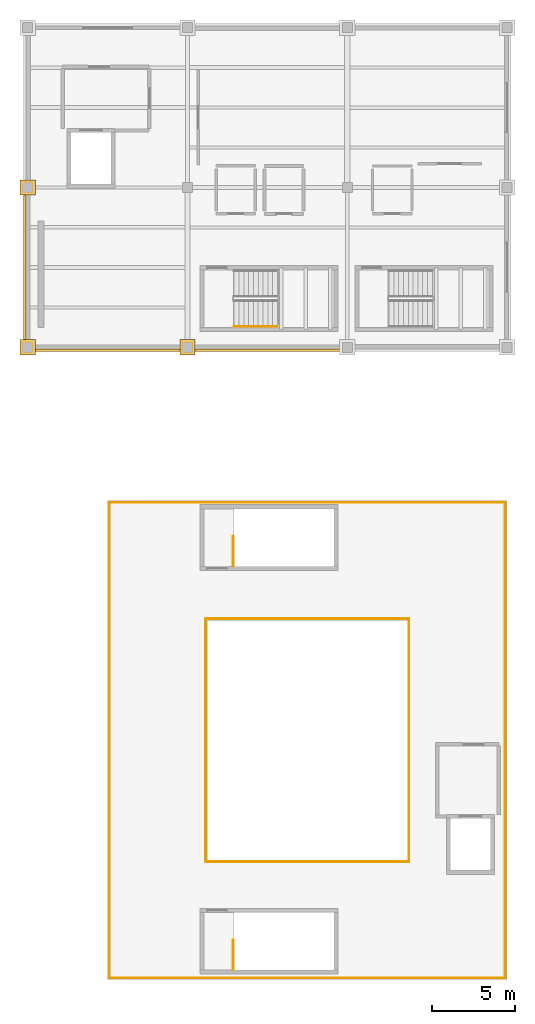
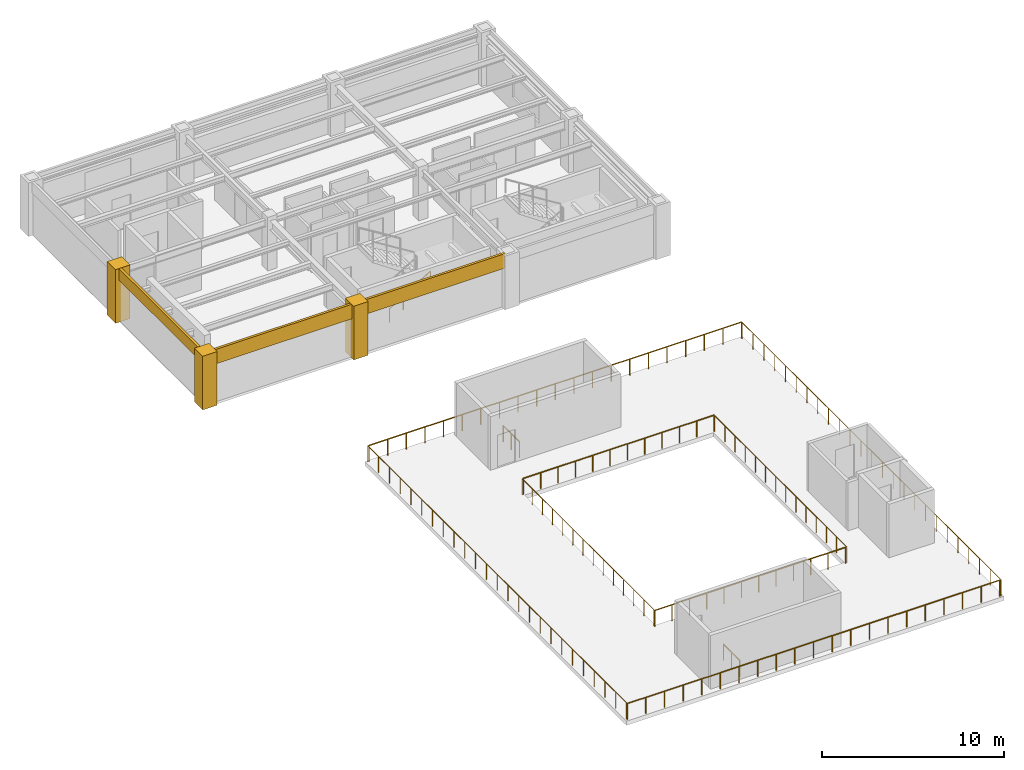
# One storey, part 4 of 6: 11 railings, 6 coverings.
"""IFC4 building model written with IfcOpenShell, lengths in metres."""

from ifc_helpers import new_model, si_unit, direction, frame, origin, origin_2d, place, context, subcontext, project, spatial, polyline, circle, outline, extrude, material, layer, layer_set, type_object, element, save


model = new_model("IFC4")

# Units and contexts
model_context = context("Model", 3, precision=1e-05, world=origin(), true_north=direction((0.0, 1.0)))
body_context = subcontext(model_context, "Body", "Model", "MODEL_VIEW")
ifc_project = project(units=[si_unit("LENGTHUNIT", "METRE"), si_unit("AREAUNIT", "SQUARE_METRE"), si_unit("VOLUMEUNIT", "CUBIC_METRE"), si_unit("PLANEANGLEUNIT", "RADIAN"), si_unit("MASSUNIT", "GRAM", prefix="KILO")], contexts=[model_context])

# Site, building, storey
site_placement = place(None, origin())
site = spatial("IfcSite", under=ifc_project, at=site_placement, CompositionType="ELEMENT")
building_placement = place(site_placement, origin())
building = spatial("IfcBuilding", under=site, at=building_placement, Name="Mavantir Sound Aquarium", CompositionType="ELEMENT")
storey_placement = place(building_placement, frame((0.0, 0.0, 19.800048828125)))
storey = spatial("IfcBuildingStorey", under=building, at=storey_placement, Name="L04", CompositionType="ELEMENT", Elevation=19.800048828125)

# Coverings
ifc_material_1 = material(Name="Honed Coral-Limestone & Glazed Terracotta Rainscreen Cladding", Category="masonry")
ifc_layer = layer(ifc_material_1, 0.06005859375, Name="Honed Coral-Limestone & Glazed Terracotta Rainscreen Cladding")
ifc_layer_set = layer_set([ifc_layer], Name="Honed Coral-Limestone & Glazed Terracotta Rainscreen Cladding")
covering_type = type_object("IfcCoveringType", Name="COV-CLAD-TC", PredefinedType="CLADDING", material=ifc_layer_set)
covering_1_placement = place(storey_placement, frame((0.0, 0.0, 2.81884765625)))
element("IfcCovering", 1, at=covering_1_placement, inside=storey, type_object=covering_type, Name="L04 Postmodern coral-limestone spandrel frieze 490", PredefinedType="CLADDING", context=body_context, shape_type="SweptSolid", body=[
    extrude(outline(polyline([(-0.090087890625, 92.89208984375), (-0.090087890625, 83.907958984375), (-0.239990234375, 83.907958984375), (-0.239990234375, 92.89208984375), (-0.090087890625, 92.89208984375)])), origin(), (0.0, 0.0, 1.0), 0.781005859375),
])
covering_2_placement = place(storey_placement, frame((0.0, 0.0, 2.625)))
element("IfcCovering", 2, at=covering_2_placement, inside=storey, type_object=covering_type, Name="L04 Postmodern coral-limestone spandrel frieze 491", PredefinedType="CLADDING", context=body_context, shape_type="SweptSolid", body=[
    extrude(outline(polyline([(0.30810546875, 83.510009765625), (9.2919921875, 83.510009765625), (9.2919921875, 83.360107421875), (0.30810546875, 83.360107421875), (0.30810546875, 83.510009765625)])), origin(), (0.0, 0.0, 1.0), 0.974853515625),
])
covering_3_placement = place(storey_placement, frame((0.0, 0.0, 2.625)))
element("IfcCovering", 3, at=covering_3_placement, inside=storey, type_object=covering_type, Name="L04 Postmodern coral-limestone spandrel frieze 492", PredefinedType="CLADDING", context=body_context, shape_type="SweptSolid", body=[
    extrude(outline(polyline([(9.907958984375, 83.510009765625), (18.89208984375, 83.510009765625), (18.89208984375, 83.360107421875), (9.907958984375, 83.360107421875), (9.907958984375, 83.510009765625)])), origin(), (0.0, 0.0, 1.0), 0.974853515625),
])
covering_4_placement = place(storey_placement, origin())
element("IfcCovering", 4, at=covering_4_placement, inside=storey, type_object=covering_type, Name="L04 Postmodern coral-limestone pilaster casing 347", PredefinedType="CLADDING", context=body_context, shape_type="SweptSolid", body=[
    extrude(outline(polyline([(-0.4599609375, 83.139892578125), (0.4599609375, 83.139892578125), (0.4599609375, 84.06005859375), (-0.4599609375, 84.06005859375), (-0.4599609375, 83.139892578125)])), origin(), (0.0, 0.0, 1.0), 3.599853515625),
])
covering_5_placement = place(storey_placement, origin())
element("IfcCovering", 5, at=covering_5_placement, inside=storey, type_object=covering_type, Name="L04 Postmodern coral-limestone pilaster casing 353", PredefinedType="CLADDING", context=body_context, shape_type="SweptSolid", body=[
    extrude(outline(polyline([(-0.4599609375, 92.739990234375), (0.4599609375, 92.739990234375), (0.4599609375, 93.659912109375), (-0.4599609375, 93.659912109375), (-0.4599609375, 92.739990234375)])), origin(), (0.0, 0.0, 1.0), 3.599853515625),
])
covering_6_placement = place(storey_placement, origin())
element("IfcCovering", 6, at=covering_6_placement, inside=storey, type_object=covering_type, Name="L04 Postmodern coral-limestone pilaster casing 370", PredefinedType="CLADDING", context=body_context, shape_type="SweptSolid", body=[
    extrude(outline(polyline([(9.139892578125, 83.139892578125), (10.06005859375, 83.139892578125), (10.06005859375, 84.06005859375), (9.139892578125, 84.06005859375), (9.139892578125, 83.139892578125)])), origin(), (0.0, 0.0, 1.0), 3.599853515625),
])

# Railings
ifc_material_2 = material(Name="Stainless Steel 316 and Laminated Glass Guardrail", Category="steel")
railing_type_1 = type_object("IfcRailingType", Name="RL-GUARD-110", PredefinedType="GUARDRAIL", material=ifc_material_2)
railing_1_placement = place(storey_placement, frame((4.919921875, 45.719970703125, 0.0)))
element("IfcRailing", 7, at=railing_1_placement, inside=storey, type_object=railing_type_1, Name="L04 Ocean Tank overlook promenade outer S guardrail", PredefinedType="GUARDRAIL", context=body_context, shape_type="SweptSolid", body=[
    extrude(circle(Radius=0.02392578125, at=origin_2d()), frame((0.0, 0.0, 1.076171875), z_axis=(1.0, 0.0, 0.0), x_axis=(0.0, 1.0, 0.0)), (0.0, 0.0, 1.0), 23.68017578125),
    extrude(circle(Radius=0.02099609375, at=origin_2d()), origin(), (0.0, 0.0, 1.0), 1.052001953125),
    extrude(circle(Radius=0.02099609375, at=origin_2d()), frame((1.18408203125, 0.0, 0.0)), (0.0, 0.0, 1.0), 1.052001953125),
    extrude(circle(Radius=0.02099609375, at=origin_2d()), frame((2.367919921875, 0.0, 0.0)), (0.0, 0.0, 1.0), 1.052001953125),
    extrude(circle(Radius=0.02099609375, at=origin_2d()), frame((3.552001953125, 0.0, 0.0)), (0.0, 0.0, 1.0), 1.052001953125),
    extrude(circle(Radius=0.02099609375, at=origin_2d()), frame((4.736083984375, 0.0, 0.0)), (0.0, 0.0, 1.0), 1.052001953125),
    extrude(circle(Radius=0.02099609375, at=origin_2d()), frame((5.919921875, 0.0, 0.0)), (0.0, 0.0, 1.0), 1.052001953125),
    extrude(circle(Radius=0.02099609375, at=origin_2d()), frame((7.10400390625, 0.0, 0.0)), (0.0, 0.0, 1.0), 1.052001953125),
    extrude(circle(Radius=0.02099609375, at=origin_2d()), frame((8.2880859375, 0.0, 0.0)), (0.0, 0.0, 1.0), 1.052001953125),
    extrude(circle(Radius=0.02099609375, at=origin_2d()), frame((9.47216796875, 0.0, 0.0)), (0.0, 0.0, 1.0), 1.052001953125),
    extrude(circle(Radius=0.02099609375, at=origin_2d()), frame((10.656005859375, 0.0, 0.0)), (0.0, 0.0, 1.0), 1.052001953125),
    extrude(circle(Radius=0.02099609375, at=origin_2d()), frame((11.840087890625, 0.0, 0.0)), (0.0, 0.0, 1.0), 1.052001953125),
    extrude(circle(Radius=0.02099609375, at=origin_2d()), frame((13.024169921875, 0.0, 0.0)), (0.0, 0.0, 1.0), 1.052001953125),
    extrude(circle(Radius=0.02099609375, at=origin_2d()), frame((14.2080078125, 0.0, 0.0)), (0.0, 0.0, 1.0), 1.052001953125),
    extrude(circle(Radius=0.02099609375, at=origin_2d()), frame((15.39208984375, 0.0, 0.0)), (0.0, 0.0, 1.0), 1.052001953125),
    extrude(circle(Radius=0.02099609375, at=origin_2d()), frame((16.576171875, 0.0, 0.0)), (0.0, 0.0, 1.0), 1.052001953125),
    extrude(circle(Radius=0.02099609375, at=origin_2d()), frame((17.76025390625, 0.0, 0.0)), (0.0, 0.0, 1.0), 1.052001953125),
    extrude(circle(Radius=0.02099609375, at=origin_2d()), frame((18.944091796875, 0.0, 0.0)), (0.0, 0.0, 1.0), 1.052001953125),
    extrude(circle(Radius=0.02099609375, at=origin_2d()), frame((20.128173828125, 0.0, 0.0)), (0.0, 0.0, 1.0), 1.052001953125),
    extrude(circle(Radius=0.02099609375, at=origin_2d()), frame((21.312255859375, 0.0, 0.0)), (0.0, 0.0, 1.0), 1.052001953125),
    extrude(circle(Radius=0.02099609375, at=origin_2d()), frame((22.49609375, 0.0, 0.0)), (0.0, 0.0, 1.0), 1.052001953125),
    extrude(circle(Radius=0.02099609375, at=origin_2d()), frame((23.68017578125, 0.0, 0.0)), (0.0, 0.0, 1.0), 1.052001953125),
])
railing_2_placement = place(storey_placement, frame((28.679931640625, 45.719970703125, 0.0)))
element("IfcRailing", 8, at=railing_2_placement, inside=storey, type_object=railing_type_1, Name="L04 Ocean Tank overlook promenade outer E guardrail", PredefinedType="GUARDRAIL", context=body_context, shape_type="SweptSolid", body=[
    extrude(circle(Radius=0.02392578125, at=origin_2d()), frame((0.0, 0.0, 1.076171875), z_axis=(0.0, 1.0, 0.0), x_axis=(-1.0, 0.0, 0.0)), (0.0, 0.0, 1.0), 28.47998046875),
    extrude(circle(Radius=0.02099609375, at=origin_2d()), origin(), (0.0, 0.0, 1.0), 1.052001953125),
    extrude(circle(Radius=0.02099609375, at=origin_2d()), frame((0.0, 1.186767578125, 0.0)), (0.0, 0.0, 1.0), 1.052001953125),
    extrude(circle(Radius=0.02099609375, at=origin_2d()), frame((0.0, 2.373291015625, 0.0)), (0.0, 0.0, 1.0), 1.052001953125),
    extrude(circle(Radius=0.02099609375, at=origin_2d()), frame((0.0, 3.56005859375, 0.0)), (0.0, 0.0, 1.0), 1.052001953125),
    extrude(circle(Radius=0.02099609375, at=origin_2d()), frame((0.0, 4.74658203125, 0.0)), (0.0, 0.0, 1.0), 1.052001953125),
    extrude(circle(Radius=0.02099609375, at=origin_2d()), frame((0.0, 5.933349609375, 0.0)), (0.0, 0.0, 1.0), 1.052001953125),
    extrude(circle(Radius=0.02099609375, at=origin_2d()), frame((0.0, 7.1201171875, 0.0)), (0.0, 0.0, 1.0), 1.052001953125),
    extrude(circle(Radius=0.02099609375, at=origin_2d()), frame((0.0, 8.306640625, 0.0)), (0.0, 0.0, 1.0), 1.052001953125),
    extrude(circle(Radius=0.02099609375, at=origin_2d()), frame((0.0, 9.493408203125, 0.0)), (0.0, 0.0, 1.0), 1.052001953125),
    extrude(circle(Radius=0.02099609375, at=origin_2d()), frame((0.0, 10.679931640625, 0.0)), (0.0, 0.0, 1.0), 1.052001953125),
    extrude(circle(Radius=0.02099609375, at=origin_2d()), frame((0.0, 11.86669921875, 0.0)), (0.0, 0.0, 1.0), 1.052001953125),
    extrude(circle(Radius=0.02099609375, at=origin_2d()), frame((0.0, 13.05322265625, 0.0)), (0.0, 0.0, 1.0), 1.052001953125),
    extrude(circle(Radius=0.02099609375, at=origin_2d()), frame((0.0, 14.239990234375, 0.0)), (0.0, 0.0, 1.0), 1.052001953125),
    extrude(circle(Radius=0.02099609375, at=origin_2d()), frame((0.0, 15.4267578125, 0.0)), (0.0, 0.0, 1.0), 1.052001953125),
    extrude(circle(Radius=0.02099609375, at=origin_2d()), frame((0.0, 16.61328125, 0.0)), (0.0, 0.0, 1.0), 1.052001953125),
    extrude(circle(Radius=0.02099609375, at=origin_2d()), frame((0.0, 17.800048828125, 0.0)), (0.0, 0.0, 1.0), 1.052001953125),
    extrude(circle(Radius=0.02099609375, at=origin_2d()), frame((0.0, 18.986572265625, 0.0)), (0.0, 0.0, 1.0), 1.052001953125),
    extrude(circle(Radius=0.02099609375, at=origin_2d()), frame((0.0, 20.17333984375, 0.0)), (0.0, 0.0, 1.0), 1.052001953125),
    extrude(circle(Radius=0.02099609375, at=origin_2d()), frame((0.0, 21.35986328125, 0.0)), (0.0, 0.0, 1.0), 1.052001953125),
    extrude(circle(Radius=0.02099609375, at=origin_2d()), frame((0.0, 22.546630859375, 0.0)), (0.0, 0.0, 1.0), 1.052001953125),
    extrude(circle(Radius=0.02099609375, at=origin_2d()), frame((0.0, 23.7333984375, 0.0)), (0.0, 0.0, 1.0), 1.052001953125),
    extrude(circle(Radius=0.02099609375, at=origin_2d()), frame((0.0, 24.919921875, 0.0)), (0.0, 0.0, 1.0), 1.052001953125),
    extrude(circle(Radius=0.02099609375, at=origin_2d()), frame((0.0, 26.106689453125, 0.0)), (0.0, 0.0, 1.0), 1.052001953125),
    extrude(circle(Radius=0.02099609375, at=origin_2d()), frame((0.0, 27.293212890625, 0.0)), (0.0, 0.0, 1.0), 1.052001953125),
    extrude(circle(Radius=0.02099609375, at=origin_2d()), frame((0.0, 28.47998046875, 0.0)), (0.0, 0.0, 1.0), 1.052001953125),
])
railing_3_placement = place(storey_placement, frame((28.679931640625, 74.280029296875, 0.0)))
element("IfcRailing", 9, at=railing_3_placement, inside=storey, type_object=railing_type_1, Name="L04 Ocean Tank overlook promenade outer N guardrail", PredefinedType="GUARDRAIL", context=body_context, shape_type="SweptSolid", body=[
    extrude(circle(Radius=0.02392578125, at=origin_2d()), frame((0.0, 0.0, 1.076171875), z_axis=(-1.0, 0.0, 0.0), x_axis=(0.0, -1.0, 0.0)), (0.0, 0.0, 1.0), 23.679931640625),
    extrude(circle(Radius=0.02099609375, at=origin_2d()), origin(), (0.0, 0.0, 1.0), 1.052001953125),
    extrude(circle(Radius=0.02099609375, at=origin_2d()), frame((-1.18408203125, 0.0, 0.0)), (0.0, 0.0, 1.0), 1.052001953125),
    extrude(circle(Radius=0.02099609375, at=origin_2d()), frame((-2.367919921875, 0.0, 0.0)), (0.0, 0.0, 1.0), 1.052001953125),
    extrude(circle(Radius=0.02099609375, at=origin_2d()), frame((-3.552001953125, 0.0, 0.0)), (0.0, 0.0, 1.0), 1.052001953125),
    extrude(circle(Radius=0.02099609375, at=origin_2d()), frame((-4.736083984375, 0.0, 0.0)), (0.0, 0.0, 1.0), 1.052001953125),
    extrude(circle(Radius=0.02099609375, at=origin_2d()), frame((-5.919921875, 0.0, 0.0)), (0.0, 0.0, 1.0), 1.052001953125),
    extrude(circle(Radius=0.02099609375, at=origin_2d()), frame((-7.10400390625, 0.0, 0.0)), (0.0, 0.0, 1.0), 1.052001953125),
    extrude(circle(Radius=0.02099609375, at=origin_2d()), frame((-8.2880859375, 0.0, 0.0)), (0.0, 0.0, 1.0), 1.052001953125),
    extrude(circle(Radius=0.02099609375, at=origin_2d()), frame((-9.471923828125, 0.0, 0.0)), (0.0, 0.0, 1.0), 1.052001953125),
    extrude(circle(Radius=0.02099609375, at=origin_2d()), frame((-10.656005859375, 0.0, 0.0)), (0.0, 0.0, 1.0), 1.052001953125),
    extrude(circle(Radius=0.02099609375, at=origin_2d()), frame((-11.83984375, 0.0, 0.0)), (0.0, 0.0, 1.0), 1.052001953125),
    extrude(circle(Radius=0.02099609375, at=origin_2d()), frame((-13.02392578125, 0.0, 0.0)), (0.0, 0.0, 1.0), 1.052001953125),
    extrude(circle(Radius=0.02099609375, at=origin_2d()), frame((-14.2080078125, 0.0, 0.0)), (0.0, 0.0, 1.0), 1.052001953125),
    extrude(circle(Radius=0.02099609375, at=origin_2d()), frame((-15.391845703125, 0.0, 0.0)), (0.0, 0.0, 1.0), 1.052001953125),
    extrude(circle(Radius=0.02099609375, at=origin_2d()), frame((-16.575927734375, 0.0, 0.0)), (0.0, 0.0, 1.0), 1.052001953125),
    extrude(circle(Radius=0.02099609375, at=origin_2d()), frame((-17.760009765625, 0.0, 0.0)), (0.0, 0.0, 1.0), 1.052001953125),
    extrude(circle(Radius=0.02099609375, at=origin_2d()), frame((-18.94384765625, 0.0, 0.0)), (0.0, 0.0, 1.0), 1.052001953125),
    extrude(circle(Radius=0.02099609375, at=origin_2d()), frame((-20.1279296875, 0.0, 0.0)), (0.0, 0.0, 1.0), 1.052001953125),
    extrude(circle(Radius=0.02099609375, at=origin_2d()), frame((-21.31201171875, 0.0, 0.0)), (0.0, 0.0, 1.0), 1.052001953125),
    extrude(circle(Radius=0.02099609375, at=origin_2d()), frame((-22.495849609375, 0.0, 0.0)), (0.0, 0.0, 1.0), 1.052001953125),
    extrude(circle(Radius=0.02099609375, at=origin_2d()), frame((-23.679931640625, 0.0, 0.0)), (0.0, 0.0, 1.0), 1.052001953125),
])
railing_4_placement = place(storey_placement, frame((4.919921875, 74.280029296875, 0.0)))
element("IfcRailing", 10, at=railing_4_placement, inside=storey, type_object=railing_type_1, Name="L04 Ocean Tank overlook promenade outer W guardrail", PredefinedType="GUARDRAIL", context=body_context, shape_type="SweptSolid", body=[
    extrude(circle(Radius=0.02392578125, at=origin_2d()), frame((0.0, 0.0, 1.076171875), z_axis=(0.0, -1.0, 0.0), x_axis=(1.0, 0.0, 0.0)), (0.0, 0.0, 1.0), 28.47998046875),
    extrude(circle(Radius=0.02099609375, at=origin_2d()), origin(), (0.0, 0.0, 1.0), 1.052001953125),
    extrude(circle(Radius=0.02099609375, at=origin_2d()), frame((0.0, -1.186767578125, 0.0)), (0.0, 0.0, 1.0), 1.052001953125),
    extrude(circle(Radius=0.02099609375, at=origin_2d()), frame((0.0, -2.373291015625, 0.0)), (0.0, 0.0, 1.0), 1.052001953125),
    extrude(circle(Radius=0.02099609375, at=origin_2d()), frame((0.0, -3.56005859375, 0.0)), (0.0, 0.0, 1.0), 1.052001953125),
    extrude(circle(Radius=0.02099609375, at=origin_2d()), frame((0.0, -4.74658203125, 0.0)), (0.0, 0.0, 1.0), 1.052001953125),
    extrude(circle(Radius=0.02099609375, at=origin_2d()), frame((0.0, -5.933349609375, 0.0)), (0.0, 0.0, 1.0), 1.052001953125),
    extrude(circle(Radius=0.02099609375, at=origin_2d()), frame((0.0, -7.1201171875, 0.0)), (0.0, 0.0, 1.0), 1.052001953125),
    extrude(circle(Radius=0.02099609375, at=origin_2d()), frame((0.0, -8.306640625, 0.0)), (0.0, 0.0, 1.0), 1.052001953125),
    extrude(circle(Radius=0.02099609375, at=origin_2d()), frame((0.0, -9.493408203125, 0.0)), (0.0, 0.0, 1.0), 1.052001953125),
    extrude(circle(Radius=0.02099609375, at=origin_2d()), frame((0.0, -10.679931640625, 0.0)), (0.0, 0.0, 1.0), 1.052001953125),
    extrude(circle(Radius=0.02099609375, at=origin_2d()), frame((0.0, -11.86669921875, 0.0)), (0.0, 0.0, 1.0), 1.052001953125),
    extrude(circle(Radius=0.02099609375, at=origin_2d()), frame((0.0, -13.05322265625, 0.0)), (0.0, 0.0, 1.0), 1.052001953125),
    extrude(circle(Radius=0.02099609375, at=origin_2d()), frame((0.0, -14.239990234375, 0.0)), (0.0, 0.0, 1.0), 1.052001953125),
    extrude(circle(Radius=0.02099609375, at=origin_2d()), frame((0.0, -15.4267578125, 0.0)), (0.0, 0.0, 1.0), 1.052001953125),
    extrude(circle(Radius=0.02099609375, at=origin_2d()), frame((0.0, -16.61328125, 0.0)), (0.0, 0.0, 1.0), 1.052001953125),
    extrude(circle(Radius=0.02099609375, at=origin_2d()), frame((0.0, -17.800048828125, 0.0)), (0.0, 0.0, 1.0), 1.052001953125),
    extrude(circle(Radius=0.02099609375, at=origin_2d()), frame((0.0, -18.986572265625, 0.0)), (0.0, 0.0, 1.0), 1.052001953125),
    extrude(circle(Radius=0.02099609375, at=origin_2d()), frame((0.0, -20.17333984375, 0.0)), (0.0, 0.0, 1.0), 1.052001953125),
    extrude(circle(Radius=0.02099609375, at=origin_2d()), frame((0.0, -21.35986328125, 0.0)), (0.0, 0.0, 1.0), 1.052001953125),
    extrude(circle(Radius=0.02099609375, at=origin_2d()), frame((0.0, -22.546630859375, 0.0)), (0.0, 0.0, 1.0), 1.052001953125),
    extrude(circle(Radius=0.02099609375, at=origin_2d()), frame((0.0, -23.7333984375, 0.0)), (0.0, 0.0, 1.0), 1.052001953125),
    extrude(circle(Radius=0.02099609375, at=origin_2d()), frame((0.0, -24.919921875, 0.0)), (0.0, 0.0, 1.0), 1.052001953125),
    extrude(circle(Radius=0.02099609375, at=origin_2d()), frame((0.0, -26.106689453125, 0.0)), (0.0, 0.0, 1.0), 1.052001953125),
    extrude(circle(Radius=0.02099609375, at=origin_2d()), frame((0.0, -27.293212890625, 0.0)), (0.0, 0.0, 1.0), 1.052001953125),
    extrude(circle(Radius=0.02099609375, at=origin_2d()), frame((0.0, -28.47998046875, 0.0)), (0.0, 0.0, 1.0), 1.052001953125),
])
railing_5_placement = place(storey_placement, frame((10.699951171875, 52.699951171875, 0.0)))
element("IfcRailing", 11, at=railing_5_placement, inside=storey, type_object=railing_type_1, Name="L04 atrium void S guardrail 163", PredefinedType="GUARDRAIL", context=body_context, shape_type="SweptSolid", body=[
    extrude(circle(Radius=0.02392578125, at=origin_2d()), frame((0.0, 0.0, 1.076171875), z_axis=(1.0, 0.0, 0.0), x_axis=(0.0, 1.0, 0.0)), (0.0, 0.0, 1.0), 12.1201171875),
    extrude(circle(Radius=0.02099609375, at=origin_2d()), origin(), (0.0, 0.0, 1.0), 1.052001953125),
    extrude(circle(Radius=0.02099609375, at=origin_2d()), frame((1.101806640625, 0.0, 0.0)), (0.0, 0.0, 1.0), 1.052001953125),
    extrude(circle(Radius=0.02099609375, at=origin_2d()), frame((2.20361328125, 0.0, 0.0)), (0.0, 0.0, 1.0), 1.052001953125),
    extrude(circle(Radius=0.02099609375, at=origin_2d()), frame((3.305419921875, 0.0, 0.0)), (0.0, 0.0, 1.0), 1.052001953125),
    extrude(circle(Radius=0.02099609375, at=origin_2d()), frame((4.4072265625, 0.0, 0.0)), (0.0, 0.0, 1.0), 1.052001953125),
    extrude(circle(Radius=0.02099609375, at=origin_2d()), frame((5.509033203125, 0.0, 0.0)), (0.0, 0.0, 1.0), 1.052001953125),
    extrude(circle(Radius=0.02099609375, at=origin_2d()), frame((6.611083984375, 0.0, 0.0)), (0.0, 0.0, 1.0), 1.052001953125),
    extrude(circle(Radius=0.02099609375, at=origin_2d()), frame((7.712890625, 0.0, 0.0)), (0.0, 0.0, 1.0), 1.052001953125),
    extrude(circle(Radius=0.02099609375, at=origin_2d()), frame((8.814697265625, 0.0, 0.0)), (0.0, 0.0, 1.0), 1.052001953125),
    extrude(circle(Radius=0.02099609375, at=origin_2d()), frame((9.91650390625, 0.0, 0.0)), (0.0, 0.0, 1.0), 1.052001953125),
    extrude(circle(Radius=0.02099609375, at=origin_2d()), frame((11.018310546875, 0.0, 0.0)), (0.0, 0.0, 1.0), 1.052001953125),
    extrude(circle(Radius=0.02099609375, at=origin_2d()), frame((12.1201171875, 0.0, 0.0)), (0.0, 0.0, 1.0), 1.052001953125),
])
railing_6_placement = place(storey_placement, frame((22.89990234375, 52.699951171875, 0.0)))
element("IfcRailing", 12, at=railing_6_placement, inside=storey, type_object=railing_type_1, Name="L04 atrium void E guardrail 164", PredefinedType="GUARDRAIL", context=body_context, shape_type="SweptSolid", body=[
    extrude(circle(Radius=0.02392578125, at=origin_2d()), frame((0.0, 0.0, 1.076171875), z_axis=(0.0, 1.0, 0.0), x_axis=(-1.0, 0.0, 0.0)), (0.0, 0.0, 1.0), 14.52001953125),
    extrude(circle(Radius=0.02099609375, at=origin_2d()), origin(), (0.0, 0.0, 1.0), 1.052001953125),
    extrude(circle(Radius=0.02099609375, at=origin_2d()), frame((0.0, 1.116943359375, 0.0)), (0.0, 0.0, 1.0), 1.052001953125),
    extrude(circle(Radius=0.02099609375, at=origin_2d()), frame((0.0, 2.23388671875, 0.0)), (0.0, 0.0, 1.0), 1.052001953125),
    extrude(circle(Radius=0.02099609375, at=origin_2d()), frame((0.0, 3.350830078125, 0.0)), (0.0, 0.0, 1.0), 1.052001953125),
    extrude(circle(Radius=0.02099609375, at=origin_2d()), frame((0.0, 4.4677734375, 0.0)), (0.0, 0.0, 1.0), 1.052001953125),
    extrude(circle(Radius=0.02099609375, at=origin_2d()), frame((0.0, 5.584716796875, 0.0)), (0.0, 0.0, 1.0), 1.052001953125),
    extrude(circle(Radius=0.02099609375, at=origin_2d()), frame((0.0, 6.70166015625, 0.0)), (0.0, 0.0, 1.0), 1.052001953125),
    extrude(circle(Radius=0.02099609375, at=origin_2d()), frame((0.0, 7.818359375, 0.0)), (0.0, 0.0, 1.0), 1.052001953125),
    extrude(circle(Radius=0.02099609375, at=origin_2d()), frame((0.0, 8.935302734375, 0.0)), (0.0, 0.0, 1.0), 1.052001953125),
    extrude(circle(Radius=0.02099609375, at=origin_2d()), frame((0.0, 10.05224609375, 0.0)), (0.0, 0.0, 1.0), 1.052001953125),
    extrude(circle(Radius=0.02099609375, at=origin_2d()), frame((0.0, 11.169189453125, 0.0)), (0.0, 0.0, 1.0), 1.052001953125),
    extrude(circle(Radius=0.02099609375, at=origin_2d()), frame((0.0, 12.2861328125, 0.0)), (0.0, 0.0, 1.0), 1.052001953125),
    extrude(circle(Radius=0.02099609375, at=origin_2d()), frame((0.0, 13.403076171875, 0.0)), (0.0, 0.0, 1.0), 1.052001953125),
    extrude(circle(Radius=0.02099609375, at=origin_2d()), frame((0.0, 14.52001953125, 0.0)), (0.0, 0.0, 1.0), 1.052001953125),
])
railing_7_placement = place(storey_placement, frame((22.89990234375, 67.300048828125, 0.0)))
element("IfcRailing", 13, at=railing_7_placement, inside=storey, type_object=railing_type_1, Name="L04 atrium void N guardrail 165", PredefinedType="GUARDRAIL", context=body_context, shape_type="SweptSolid", body=[
    extrude(circle(Radius=0.02392578125, at=origin_2d()), frame((0.0, 0.0, 1.076171875), z_axis=(-1.0, 0.0, 0.0), x_axis=(0.0, -1.0, 0.0)), (0.0, 0.0, 1.0), 12.119873046875),
    extrude(circle(Radius=0.02099609375, at=origin_2d()), origin(), (0.0, 0.0, 1.0), 1.052001953125),
    extrude(circle(Radius=0.02099609375, at=origin_2d()), frame((-1.101806640625, 0.0, 0.0)), (0.0, 0.0, 1.0), 1.052001953125),
    extrude(circle(Radius=0.02099609375, at=origin_2d()), frame((-2.20361328125, 0.0, 0.0)), (0.0, 0.0, 1.0), 1.052001953125),
    extrude(circle(Radius=0.02099609375, at=origin_2d()), frame((-3.305419921875, 0.0, 0.0)), (0.0, 0.0, 1.0), 1.052001953125),
    extrude(circle(Radius=0.02099609375, at=origin_2d()), frame((-4.4072265625, 0.0, 0.0)), (0.0, 0.0, 1.0), 1.052001953125),
    extrude(circle(Radius=0.02099609375, at=origin_2d()), frame((-5.509033203125, 0.0, 0.0)), (0.0, 0.0, 1.0), 1.052001953125),
    extrude(circle(Radius=0.02099609375, at=origin_2d()), frame((-6.61083984375, 0.0, 0.0)), (0.0, 0.0, 1.0), 1.052001953125),
    extrude(circle(Radius=0.02099609375, at=origin_2d()), frame((-7.712646484375, 0.0, 0.0)), (0.0, 0.0, 1.0), 1.052001953125),
    extrude(circle(Radius=0.02099609375, at=origin_2d()), frame((-8.814453125, 0.0, 0.0)), (0.0, 0.0, 1.0), 1.052001953125),
    extrude(circle(Radius=0.02099609375, at=origin_2d()), frame((-9.916259765625, 0.0, 0.0)), (0.0, 0.0, 1.0), 1.052001953125),
    extrude(circle(Radius=0.02099609375, at=origin_2d()), frame((-11.01806640625, 0.0, 0.0)), (0.0, 0.0, 1.0), 1.052001953125),
    extrude(circle(Radius=0.02099609375, at=origin_2d()), frame((-12.119873046875, 0.0, 0.0)), (0.0, 0.0, 1.0), 1.052001953125),
])
railing_8_placement = place(storey_placement, frame((10.699951171875, 67.300048828125, 0.0)))
element("IfcRailing", 14, at=railing_8_placement, inside=storey, type_object=railing_type_1, Name="L04 atrium void W guardrail 166", PredefinedType="GUARDRAIL", context=body_context, shape_type="SweptSolid", body=[
    extrude(circle(Radius=0.02392578125, at=origin_2d()), frame((0.0, 0.0, 1.076171875), z_axis=(0.0, -1.0, 0.0), x_axis=(1.0, 0.0, 0.0)), (0.0, 0.0, 1.0), 14.52001953125),
    extrude(circle(Radius=0.02099609375, at=origin_2d()), origin(), (0.0, 0.0, 1.0), 1.052001953125),
    extrude(circle(Radius=0.02099609375, at=origin_2d()), frame((0.0, -1.116943359375, 0.0)), (0.0, 0.0, 1.0), 1.052001953125),
    extrude(circle(Radius=0.02099609375, at=origin_2d()), frame((0.0, -2.23388671875, 0.0)), (0.0, 0.0, 1.0), 1.052001953125),
    extrude(circle(Radius=0.02099609375, at=origin_2d()), frame((0.0, -3.350830078125, 0.0)), (0.0, 0.0, 1.0), 1.052001953125),
    extrude(circle(Radius=0.02099609375, at=origin_2d()), frame((0.0, -4.4677734375, 0.0)), (0.0, 0.0, 1.0), 1.052001953125),
    extrude(circle(Radius=0.02099609375, at=origin_2d()), frame((0.0, -5.584716796875, 0.0)), (0.0, 0.0, 1.0), 1.052001953125),
    extrude(circle(Radius=0.02099609375, at=origin_2d()), frame((0.0, -6.70166015625, 0.0)), (0.0, 0.0, 1.0), 1.052001953125),
    extrude(circle(Radius=0.02099609375, at=origin_2d()), frame((0.0, -7.818359375, 0.0)), (0.0, 0.0, 1.0), 1.052001953125),
    extrude(circle(Radius=0.02099609375, at=origin_2d()), frame((0.0, -8.935302734375, 0.0)), (0.0, 0.0, 1.0), 1.052001953125),
    extrude(circle(Radius=0.02099609375, at=origin_2d()), frame((0.0, -10.05224609375, 0.0)), (0.0, 0.0, 1.0), 1.052001953125),
    extrude(circle(Radius=0.02099609375, at=origin_2d()), frame((0.0, -11.169189453125, 0.0)), (0.0, 0.0, 1.0), 1.052001953125),
    extrude(circle(Radius=0.02099609375, at=origin_2d()), frame((0.0, -12.2861328125, 0.0)), (0.0, 0.0, 1.0), 1.052001953125),
    extrude(circle(Radius=0.02099609375, at=origin_2d()), frame((0.0, -13.403076171875, 0.0)), (0.0, 0.0, 1.0), 1.052001953125),
    extrude(circle(Radius=0.02099609375, at=origin_2d()), frame((0.0, -14.52001953125, 0.0)), (0.0, 0.0, 1.0), 1.052001953125),
])
for number, where, name in (
    (15, (12.35009765625, 46.199951171875, 0.0), "L04 ST9 top well guard 1"),
    (16, (12.35009765625, 70.449951171875, 0.0), "L04 ST10 top well guard 1"),
):
    element("IfcRailing", number, at=place(storey_placement, frame(where)), inside=storey, type_object=railing_type_1, Name=name, PredefinedType="GUARDRAIL", context=body_context, shape_type="SweptSolid", body=[
        extrude(circle(Radius=0.02392578125, at=origin_2d()), frame((0.0, 0.0, 1.076171875), z_axis=(0.0, 1.0, 0.0), x_axis=(-1.0, 0.0, 0.0)), (0.0, 0.0, 1.0), 1.800048828125),
        extrude(circle(Radius=0.02099609375, at=origin_2d()), origin(), (0.0, 0.0, 1.0), 1.052001953125),
        extrude(circle(Radius=0.02099609375, at=origin_2d()), frame((0.0, 0.89990234375, 0.0)), (0.0, 0.0, 1.0), 1.052001953125),
        extrude(circle(Radius=0.02099609375, at=origin_2d()), frame((0.0, 1.800048828125, 0.0)), (0.0, 0.0, 1.0), 1.052001953125),
    ])
ifc_material_3 = material(Name="Brushed Stainless Steel 316 Handrail", Category="steel")
railing_type_2 = type_object("IfcRailingType", Name="RL-HR-90", PredefinedType="HANDRAIL", material=ifc_material_3)
railing_9_placement = place(storey_placement, frame((12.39990234375, 84.85009765625, 0.364990234375)))
element("IfcRailing", 17, at=railing_9_placement, inside=storey, type_object=railing_type_2, Name="L04 ST5 stair handrail 1", PredefinedType="HANDRAIL", context=body_context, shape_type="SweptSolid", body=[
    extrude(circle(Radius=0.02392578125, at=origin_2d()), frame((0.0, 0.0, 0.89111328125), z_axis=(0.849668407637, 0.0, 0.527317358963), x_axis=(0.0, 1.0, 0.0)), (0.0, 0.0, 1.0), 3.072021484375),
    extrude(circle(Radius=0.02099609375, at=origin_2d()), origin(), (0.0, 0.0, 1.0), 0.866943359375),
    extrude(circle(Radius=0.02099609375, at=origin_2d()), frame((0.8701171875, 0.0, 0.5400390625)), (0.0, 0.0, 1.0), 0.866943359375),
    extrude(circle(Radius=0.02099609375, at=origin_2d()), frame((1.739990234375, 0.0, 1.079833984375)), (0.0, 0.0, 1.0), 0.866943359375),
    extrude(circle(Radius=0.02099609375, at=origin_2d()), frame((2.610107421875, 0.0, 1.619873046875)), (0.0, 0.0, 1.0), 0.866943359375),
])

save(model, "model.ifc")
